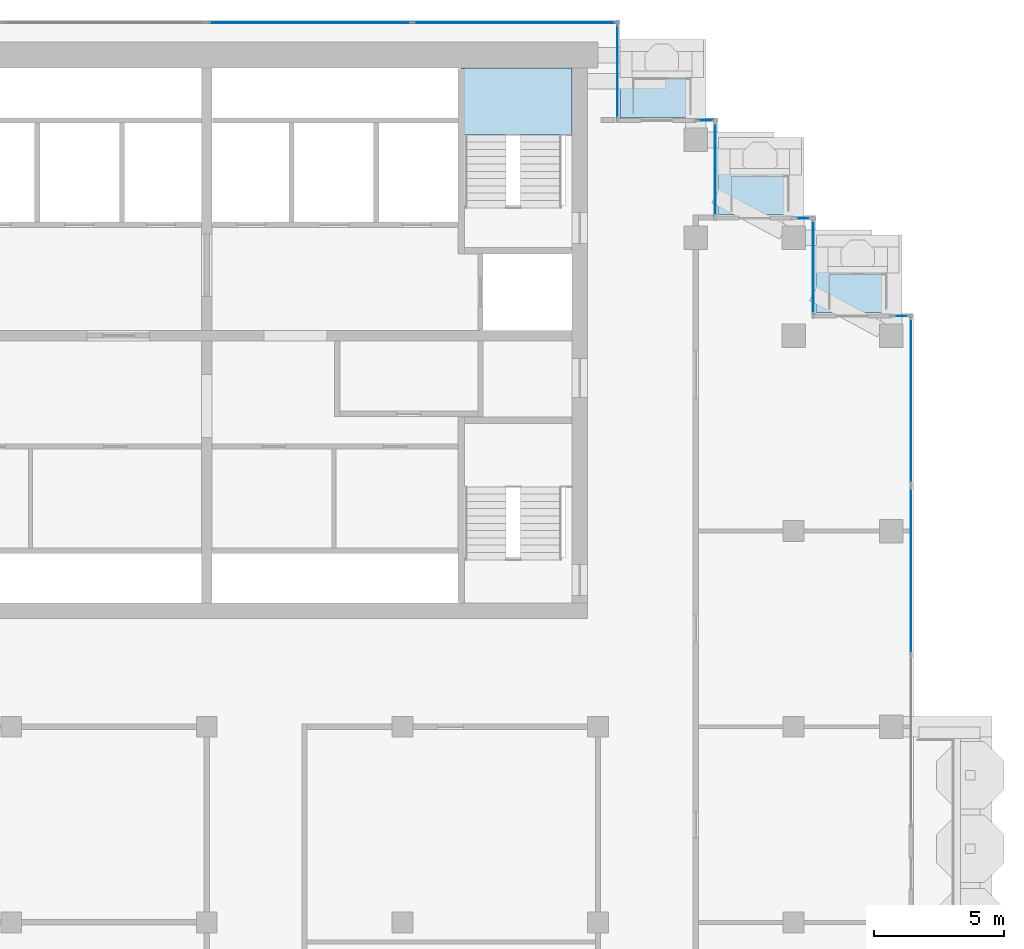
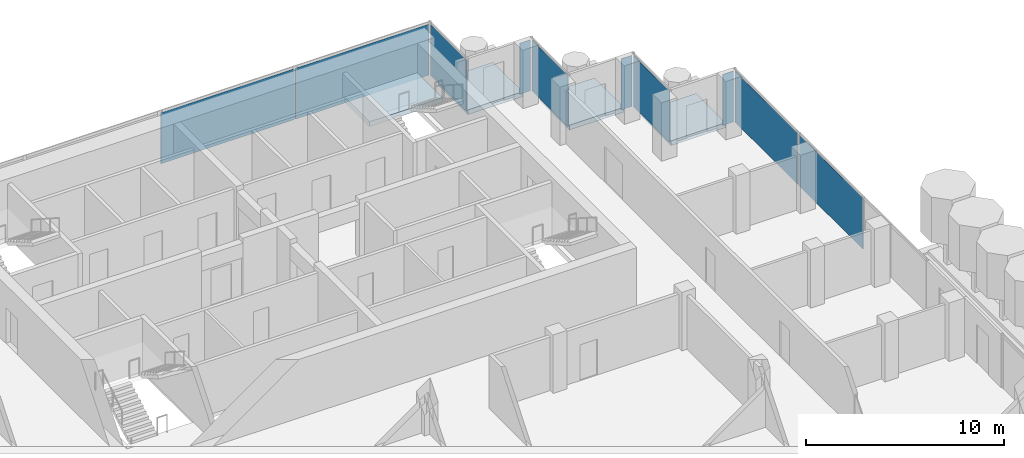
# One storey, part 10 of 18: 10 plates, 4 slabs, 10 elements without a shape of their own.
"""IFC4 building model written with IfcOpenShell, lengths in metres."""

from ifc_helpers import new_model, si_unit, direction, frame, origin, origin_2d, place, context, subcontext, project, spatial, polyline, rectangle, outline, extrude, material, layer, layer_set, type_object, element, aggregate, save


model = new_model("IFC4")

# Units and contexts
model_context = context("Model", 3, precision=1e-05, world=origin(), true_north=direction((0.0, 1.0)))
body_context = subcontext(model_context, "Body", "Model", "MODEL_VIEW")
ifc_project = project(units=[si_unit("LENGTHUNIT", "METRE"), si_unit("AREAUNIT", "SQUARE_METRE"), si_unit("VOLUMEUNIT", "CUBIC_METRE"), si_unit("PLANEANGLEUNIT", "RADIAN"), si_unit("MASSUNIT", "GRAM", prefix="KILO")], contexts=[model_context])

# Site, building, storey
site_placement = place(None, origin())
site = spatial("IfcSite", under=ifc_project, at=site_placement, CompositionType="ELEMENT")
building_placement = place(site_placement, origin())
building = spatial("IfcBuilding", under=site, at=building_placement, Name="Pilkhan Gate Tower", CompositionType="ELEMENT")
storey_placement = place(building_placement, frame((0.0, 0.0, 242.699951171875)))
storey = spatial("IfcBuildingStorey", under=building, at=storey_placement, Name="L63", CompositionType="ELEMENT", Elevation=242.699951171875)

# Slabs
ifc_material_1 = material(Name="Concrete C60/75", Category="concrete")
ifc_layer_1 = layer(ifc_material_1, 0.300048828125)
ifc_layer_set_1 = layer_set([ifc_layer_1], Name="Balcony tray slab TR300")
slab_type_1 = type_object("IfcSlabType", Name="Balcony tray slab TR300", PredefinedType="FLOOR", material=ifc_layer_set_1)
slab_1_placement = place(storey_placement, frame((0.0, 0.0, -0.300048828125)))
element("IfcSlab", 1, at=slab_1_placement, inside=storey, type_object=slab_type_1, Name="Balcony tray L63 N", PredefinedType="FLOOR", context=body_context, shape_type="SweptSolid", body=[
    extrude(outline(polyline([(94.050048828125, 90.85009765625), (94.050048828125, 93.85009765625), (90.85009765625, 93.85009765625), (90.85009765625, 90.85009765625), (94.050048828125, 90.85009765625)])), origin(), (0.0, 0.0, 1.0), 0.300048828125),
])
slab_2_placement = place(storey_placement, frame((0.0, 0.0, -0.300048828125)))
element("IfcSlab", 2, at=slab_2_placement, inside=storey, type_object=slab_type_1, Name="Balcony tray L63 N", PredefinedType="FLOOR", context=body_context, shape_type="SweptSolid", body=[
    extrude(outline(polyline([(97.800048828125, 87.1201171875), (97.800048828125, 90.10009765625), (94.6201171875, 90.10009765625), (94.6201171875, 87.1201171875), (97.800048828125, 87.1201171875)])), origin(), (0.0, 0.0, 1.0), 0.300048828125),
])
slab_3_placement = place(storey_placement, frame((0.0, 0.0, -0.300048828125)))
element("IfcSlab", 3, at=slab_3_placement, inside=storey, type_object=slab_type_1, Name="Balcony tray L63 N", PredefinedType="FLOOR", context=body_context, shape_type="SweptSolid", body=[
    extrude(outline(polyline([(101.550048828125, 83.3701171875), (101.550048828125, 86.35009765625), (98.3701171875, 86.35009765625), (98.3701171875, 83.3701171875), (101.550048828125, 83.3701171875)])), origin(), (0.0, 0.0, 1.0), 0.300048828125),
])

# Curtain wall, plate
ifc_material_2 = material(Name="Pale anodised aluminium, clear low-iron double glazing", Category="aluminium")
curtain_wall_type = type_object("IfcCurtainWallType", Name="Office unitised curtain wall CW-O2", PredefinedType="USERDEFINED", material=ifc_material_2)
curtain_wall_1_placement = place(storey_placement, origin())
curtain_wall_1 = element("IfcCurtainWall", 4, at=curtain_wall_1_placement, inside=storey, type_object=curtain_wall_type, Name="Office unitised curtain wall CW-O2 L63 E", ObjectType="UNITISED CURTAIN WALL", PredefinedType="USERDEFINED")
ifc_material_3 = material(Name="Clear low-iron double glazing", Category="glass")
ifc_layer_2 = layer(ifc_material_3, 0.031982421875)
ifc_layer_set_2 = layer_set([ifc_layer_2], Name="Glass panel CW-O2 32")
plate_type = type_object("IfcPlateType", Name="Glass panel CW-O2 32", PredefinedType="CURTAIN_PANEL", material=ifc_layer_set_2)
plate_1_placement = place(storey_placement, frame((102.0, 73.483642578125, 0.0), z_axis=(0.0, 0.0, 1.0), x_axis=(0.0, 1.0, 0.0)))
plate_1 = element("IfcPlate", 5, at=plate_1_placement, type_object=plate_type, Name="CW-O2 panel 2", PredefinedType="CURTAIN_PANEL", context=body_context, shape_type="SweptSolid", body=[
    extrude(rectangle(XDim=6.402587890625, YDim=0.031982421875, at=origin_2d()), origin(), (0.0, 0.0, 1.0), 3.135009765625),
])
aggregate(curtain_wall_1, [plate_1])

curtain_wall_2_placement = place(storey_placement, origin())
curtain_wall_2 = element("IfcCurtainWall", 6, at=curtain_wall_2_placement, inside=storey, type_object=curtain_wall_type, Name="Office unitised curtain wall CW-O2 L63 E", ObjectType="UNITISED CURTAIN WALL", PredefinedType="USERDEFINED")
plate_2_placement = place(storey_placement, frame((102.0, 80.0, 0.0), z_axis=(0.0, 0.0, 1.0), x_axis=(0.0, 1.0, 0.0)))
plate_2 = element("IfcPlate", 7, at=plate_2_placement, type_object=plate_type, Name="CW-O2 panel 1", PredefinedType="CURTAIN_PANEL", context=body_context, shape_type="SweptSolid", body=[
    extrude(rectangle(XDim=6.3701171875, YDim=0.031982421875, at=origin_2d()), origin(), (0.0, 0.0, 1.0), 3.135009765625),
])
aggregate(curtain_wall_2, [plate_2])

curtain_wall_3_placement = place(storey_placement, origin())
curtain_wall_3 = element("IfcCurtainWall", 8, at=curtain_wall_3_placement, inside=storey, type_object=curtain_wall_type, Name="Office unitised curtain wall CW-O2 L63 N", ObjectType="UNITISED CURTAIN WALL", PredefinedType="USERDEFINED")
plate_3_placement = place(storey_placement, frame((101.625, 83.25, 0.0), z_axis=(0.0, 0.0, 1.0), x_axis=(1.0, 0.0, 0.0)))
plate_3 = element("IfcPlate", 9, at=plate_3_placement, type_object=plate_type, Name="CW-O2 panel 1", PredefinedType="CURTAIN_PANEL", context=body_context, shape_type="SweptSolid", body=[
    extrude(rectangle(XDim=0.6201171875, YDim=0.031982421875, at=origin_2d()), origin(), (0.0, 0.0, 1.0), 3.135009765625),
])
aggregate(curtain_wall_3, [plate_3])

curtain_wall_4_placement = place(storey_placement, origin())
curtain_wall_4 = element("IfcCurtainWall", 10, at=curtain_wall_4_placement, inside=storey, type_object=curtain_wall_type, Name="Office unitised curtain wall CW-O2 L63 E", ObjectType="UNITISED CURTAIN WALL", PredefinedType="USERDEFINED")
plate_4_placement = place(storey_placement, frame((98.25, 85.125, 0.0), z_axis=(0.0, 0.0, 1.0), x_axis=(0.0, 1.0, 0.0)))
plate_4 = element("IfcPlate", 11, at=plate_4_placement, type_object=plate_type, Name="CW-O2 panel 1", PredefinedType="CURTAIN_PANEL", context=body_context, shape_type="SweptSolid", body=[
    extrude(rectangle(XDim=3.6201171875, YDim=0.031982421875, at=origin_2d()), origin(), (0.0, 0.0, 1.0), 3.135009765625),
])
aggregate(curtain_wall_4, [plate_4])

curtain_wall_5_placement = place(storey_placement, origin())
curtain_wall_5 = element("IfcCurtainWall", 12, at=curtain_wall_5_placement, inside=storey, type_object=curtain_wall_type, Name="Office unitised curtain wall CW-O2 L63 N", ObjectType="UNITISED CURTAIN WALL", PredefinedType="USERDEFINED")
plate_5_placement = place(storey_placement, frame((97.875, 87.0, 0.0), z_axis=(0.0, 0.0, 1.0), x_axis=(1.0, 0.0, 0.0)))
plate_5 = element("IfcPlate", 13, at=plate_5_placement, type_object=plate_type, Name="CW-O2 panel 1", PredefinedType="CURTAIN_PANEL", context=body_context, shape_type="SweptSolid", body=[
    extrude(rectangle(XDim=0.6201171875, YDim=0.031982421875, at=origin_2d()), origin(), (0.0, 0.0, 1.0), 3.135009765625),
])
aggregate(curtain_wall_5, [plate_5])

curtain_wall_6_placement = place(storey_placement, origin())
curtain_wall_6 = element("IfcCurtainWall", 14, at=curtain_wall_6_placement, inside=storey, type_object=curtain_wall_type, Name="Office unitised curtain wall CW-O2 L63 E", ObjectType="UNITISED CURTAIN WALL", PredefinedType="USERDEFINED")
plate_6_placement = place(storey_placement, frame((94.5, 88.875, 0.0), z_axis=(0.0, 0.0, 1.0), x_axis=(0.0, 1.0, 0.0)))
plate_6 = element("IfcPlate", 15, at=plate_6_placement, type_object=plate_type, Name="CW-O2 panel 1", PredefinedType="CURTAIN_PANEL", context=body_context, shape_type="SweptSolid", body=[
    extrude(rectangle(XDim=3.6201171875, YDim=0.031982421875, at=origin_2d()), origin(), (0.0, 0.0, 1.0), 3.135009765625),
])
aggregate(curtain_wall_6, [plate_6])

curtain_wall_7_placement = place(storey_placement, origin())
curtain_wall_7 = element("IfcCurtainWall", 16, at=curtain_wall_7_placement, inside=storey, type_object=curtain_wall_type, Name="Office unitised curtain wall CW-O2 L63 N", ObjectType="UNITISED CURTAIN WALL", PredefinedType="USERDEFINED")
plate_7_placement = place(storey_placement, frame((94.125, 90.75, 0.0), z_axis=(0.0, 0.0, 1.0), x_axis=(1.0, 0.0, 0.0)))
plate_7 = element("IfcPlate", 17, at=plate_7_placement, type_object=plate_type, Name="CW-O2 panel 1", PredefinedType="CURTAIN_PANEL", context=body_context, shape_type="SweptSolid", body=[
    extrude(rectangle(XDim=0.6201171875, YDim=0.031982421875, at=origin_2d()), origin(), (0.0, 0.0, 1.0), 3.135009765625),
])
aggregate(curtain_wall_7, [plate_7])

curtain_wall_8_placement = place(storey_placement, origin())
curtain_wall_8 = element("IfcCurtainWall", 18, at=curtain_wall_8_placement, inside=storey, type_object=curtain_wall_type, Name="Office unitised curtain wall CW-O2 L63 E", ObjectType="UNITISED CURTAIN WALL", PredefinedType="USERDEFINED")
plate_8_placement = place(storey_placement, frame((90.75, 92.625, 0.0), z_axis=(0.0, 0.0, 1.0), x_axis=(0.0, 1.0, 0.0)))
plate_8 = element("IfcPlate", 19, at=plate_8_placement, type_object=plate_type, Name="CW-O2 panel 1", PredefinedType="CURTAIN_PANEL", context=body_context, shape_type="SweptSolid", body=[
    extrude(rectangle(XDim=3.6201171875, YDim=0.031982421875, at=origin_2d()), origin(), (0.0, 0.0, 1.0), 3.135009765625),
])
aggregate(curtain_wall_8, [plate_8])

# Curtain wall, plates
curtain_wall_9_placement = place(storey_placement, origin())
curtain_wall_9 = element("IfcCurtainWall", 20, at=curtain_wall_9_placement, inside=storey, type_object=curtain_wall_type, Name="Office unitised curtain wall CW-O2 L63 N", ObjectType="UNITISED CURTAIN WALL", PredefinedType="USERDEFINED")
plate_9_placement = place(storey_placement, frame((78.953857421875, 94.5, 0.0), z_axis=(0.0, 0.0, 1.0), x_axis=(1.0, 0.0, 0.0)))
plate_9 = element("IfcPlate", 21, at=plate_9_placement, type_object=plate_type, Name="CW-O2 panel 1", PredefinedType="CURTAIN_PANEL", context=body_context, shape_type="SweptSolid", body=[
    extrude(rectangle(XDim=7.777587890625, YDim=0.031982421875, at=origin_2d()), origin(), (0.0, 0.0, 1.0), 3.135009765625),
])
plate_10_placement = place(storey_placement, frame((86.796142578125, 94.5, 0.0), z_axis=(0.0, 0.0, 1.0), x_axis=(1.0, 0.0, 0.0)))
plate_10 = element("IfcPlate", 22, at=plate_10_placement, type_object=plate_type, Name="CW-O2 panel 2", PredefinedType="CURTAIN_PANEL", context=body_context, shape_type="SweptSolid", body=[
    extrude(rectangle(XDim=7.777587890625, YDim=0.031982421875, at=origin_2d()), origin(), (0.0, 0.0, 1.0), 3.135009765625),
])
aggregate(curtain_wall_9, [plate_9, plate_10])

# Stair, slab
ifc_material_4 = material(Name="Concrete C40/50 precast", Category="concrete")
stair_type = type_object("IfcStairType", Name="Stair ST4 164x280", PredefinedType="HALF_TURN_STAIR", material=ifc_material_4)
stair_placement = place(storey_placement, origin())
stair = element("IfcStair", 23, at=stair_placement, inside=storey, type_object=stair_type, Name="Stair ST4 L63", PredefinedType="HALF_TURN_STAIR")
ifc_material_5 = material(Name="Concrete C40/50", Category="concrete")
ifc_layer_3 = layer(ifc_material_5, 0.199951171875)
ifc_layer_set_3 = layer_set([ifc_layer_3], Name="Stair landing SL200")
slab_type_2 = type_object("IfcSlabType", Name="Stair landing SL200", PredefinedType="LANDING", material=ifc_layer_set_3)
slab_4_placement = place(storey_placement, frame((0.0, 0.0, 1.5)))
slab_4 = element("IfcSlab", 24, at=slab_4_placement, type_object=slab_type_2, Name="ST4 landing 1", PredefinedType="LANDING", context=body_context, shape_type="SweptSolid", body=[
    extrude(outline(polyline([(89.0, 90.199951171875), (89.0, 92.75), (84.75, 92.75), (84.75, 90.199951171875), (89.0, 90.199951171875)])), origin(), (0.0, 0.0, 1.0), 0.300048828125),
])
aggregate(stair, [slab_4])

save(model, "model.ifc")
